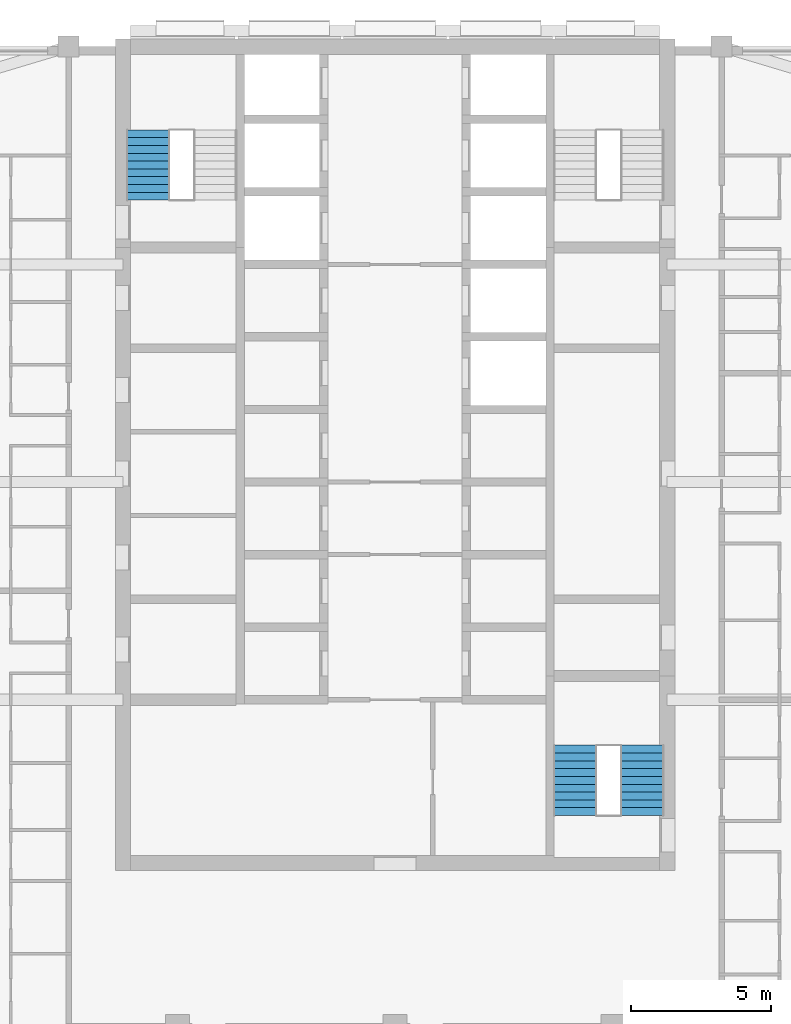
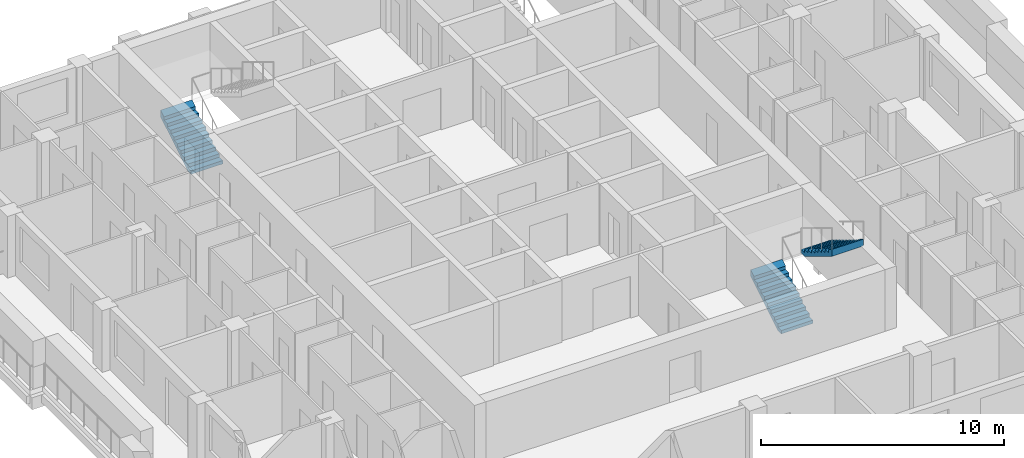
# One storey, part 10 of 13: 3 stair flights, 2 elements without a shape of their own.
"""IFC4 building model written with IfcOpenShell, lengths in metres."""

from ifc_helpers import new_model, si_unit, direction, frame, origin, place, context, subcontext, project, spatial, triangles, material, type_object, element, aggregate, save


model = new_model("IFC4")

# Units and contexts
model_context = context("Model", 3, precision=1e-05, world=origin(), true_north=direction((0.0, 1.0)))
body_context = subcontext(model_context, "Body", "Model", "MODEL_VIEW")
ifc_project = project(units=[si_unit("LENGTHUNIT", "METRE"), si_unit("AREAUNIT", "SQUARE_METRE"), si_unit("VOLUMEUNIT", "CUBIC_METRE"), si_unit("PLANEANGLEUNIT", "RADIAN"), si_unit("MASSUNIT", "GRAM", prefix="KILO")], contexts=[model_context])

# Site, building, storey
site_placement = place(None, origin())
site = spatial("IfcSite", under=ifc_project, at=site_placement, CompositionType="ELEMENT")
building_placement = place(site_placement, origin())
building = spatial("IfcBuilding", under=site, at=building_placement, Name="Ludao Terraces", CompositionType="ELEMENT")
storey_placement = place(building_placement, frame((0.0, 0.0, 189.39990234375)))
storey = spatial("IfcBuildingStorey", under=building, at=storey_placement, Name="L51", CompositionType="ELEMENT", Elevation=189.39990234375)

# Stair, stair flight
ifc_material = material(Name="Concrete C40", Category="concrete")
stair_type = type_object("IfcStairType", Name="INT Stair", PredefinedType="HALF_TURN_STAIR", material=ifc_material)
stair_1_placement = place(storey_placement, origin())
stair_1 = element("IfcStair", 1, at=stair_1_placement, inside=storey, type_object=stair_type, Name="EXIT STAIR 1", PredefinedType="HALF_TURN_STAIR")
stair_flight_type = type_object("IfcStairFlightType", Name="INT Stair flight", PredefinedType="STRAIGHT", material=ifc_material)
stair_flight_1_placement = place(storey_placement, frame((76.14990234375, 79.0, 0.0), z_axis=(0.0, 0.0, 1.0), x_axis=(0.0, 1.0, 0.0)))
stair_flight_1 = element("IfcStairFlight", 2, at=stair_flight_1_placement, type_object=stair_flight_type, Name="ST1 flight 1", NumberOfRisers=10, NumberOfTreads=9, PredefinedType="STRAIGHT", RiserHeight=0.17, TreadLength=0.28, context=body_context, shape_type="Tessellation", body=[
    triangles([(0.0, -0.75, 0.0), (0.0, -0.5, 0.0), (0.0, -0.25, 0.0), (0.0, 0.0, 0.0), (0.0, 0.25, 0.0), (0.0, 0.5, 0.0), (0.0, 0.75, 0.0), (0.0, -0.75, 0.169921875), (0.0, -0.5, 0.169921875), (0.0, -0.25, 0.169921875), (0.0, 0.0, 0.169921875), (0.0, 0.25, 0.169921875), (0.0, 0.5, 0.169921875), (0.0, 0.75, 0.169921875), (0.280029296875, -0.75, 0.169921875), (0.280029296875, -0.5, 0.169921875), (0.280029296875, -0.25, 0.169921875), (0.280029296875, 0.0, 0.169921875), (0.280029296875, 0.25, 0.169921875), (0.280029296875, 0.5, 0.169921875), (0.280029296875, 0.75, 0.169921875), (0.280029296875, -0.75, 0.340087890625), (0.280029296875, -0.5, 0.340087890625), (0.280029296875, -0.25, 0.340087890625), (0.280029296875, 0.0, 0.340087890625), (0.280029296875, 0.25, 0.340087890625), (0.280029296875, 0.5, 0.340087890625), (0.280029296875, 0.75, 0.340087890625), (0.56005859375, -0.75, 0.340087890625), (0.56005859375, -0.5, 0.340087890625), (0.56005859375, -0.25, 0.340087890625), (0.56005859375, 0.0, 0.340087890625), (0.56005859375, 0.25, 0.340087890625), (0.56005859375, 0.5, 0.340087890625), (0.56005859375, 0.75, 0.340087890625), (0.56005859375, -0.75, 0.510009765625), (0.56005859375, -0.5, 0.510009765625), (0.56005859375, -0.25, 0.510009765625), (0.56005859375, 0.0, 0.510009765625), (0.56005859375, 0.25, 0.510009765625), (0.56005859375, 0.5, 0.510009765625), (0.56005859375, 0.75, 0.510009765625), (0.840087890625, -0.75, 0.510009765625), (0.840087890625, -0.5, 0.510009765625), (0.840087890625, -0.25, 0.510009765625), (0.840087890625, 0.0, 0.510009765625), (0.840087890625, 0.25, 0.510009765625), (0.840087890625, 0.5, 0.510009765625), (0.840087890625, 0.75, 0.510009765625), (0.840087890625, -0.75, 0.679931640625), (0.840087890625, -0.5, 0.679931640625), (0.840087890625, -0.25, 0.679931640625), (0.840087890625, 0.0, 0.679931640625), (0.840087890625, 0.25, 0.679931640625), (0.840087890625, 0.5, 0.679931640625), (0.840087890625, 0.75, 0.679931640625), (1.1201171875, -0.75, 0.679931640625), (1.1201171875, -0.5, 0.679931640625), (1.1201171875, -0.25, 0.679931640625), (1.1201171875, 0.0, 0.679931640625), (1.1201171875, 0.25, 0.679931640625), (1.1201171875, 0.5, 0.679931640625), (1.1201171875, 0.75, 0.679931640625), (1.1201171875, -0.75, 0.85009765625), (1.1201171875, -0.5, 0.85009765625), (1.1201171875, -0.25, 0.85009765625), (1.1201171875, 0.0, 0.85009765625), (1.1201171875, 0.25, 0.85009765625), (1.1201171875, 0.5, 0.85009765625), (1.1201171875, 0.75, 0.85009765625), (1.39990234375, -0.75, 0.85009765625), (1.39990234375, -0.5, 0.85009765625), (1.39990234375, -0.25, 0.85009765625), (1.39990234375, 0.0, 0.85009765625), (1.39990234375, 0.25, 0.85009765625), (1.39990234375, 0.5, 0.85009765625), (1.39990234375, 0.75, 0.85009765625), (1.39990234375, -0.75, 1.02001953125), (1.39990234375, -0.5, 1.02001953125), (1.39990234375, -0.25, 1.02001953125), (1.39990234375, 0.0, 1.02001953125), (1.39990234375, 0.25, 1.02001953125), (1.39990234375, 0.5, 1.02001953125), (1.39990234375, 0.75, 1.02001953125), (1.679931640625, -0.75, 1.02001953125), (1.679931640625, -0.5, 1.02001953125), (1.679931640625, -0.25, 1.02001953125), (1.679931640625, 0.0, 1.02001953125), (1.679931640625, 0.25, 1.02001953125), (1.679931640625, 0.5, 1.02001953125), (1.679931640625, 0.75, 1.02001953125), (1.679931640625, -0.75, 1.18994140625), (1.679931640625, -0.5, 1.18994140625), (1.679931640625, -0.25, 1.18994140625), (1.679931640625, 0.0, 1.18994140625), (1.679931640625, 0.25, 1.18994140625), (1.679931640625, 0.5, 1.18994140625), (1.679931640625, 0.75, 1.18994140625), (1.9599609375, -0.75, 1.18994140625), (1.9599609375, -0.5, 1.18994140625), (1.9599609375, -0.25, 1.18994140625), (1.9599609375, 0.0, 1.18994140625), (1.9599609375, 0.25, 1.18994140625), (1.9599609375, 0.5, 1.18994140625), (1.9599609375, 0.75, 1.18994140625), (1.9599609375, -0.75, 1.360107421875), (1.9599609375, -0.5, 1.360107421875), (1.9599609375, -0.25, 1.360107421875), (1.9599609375, 0.0, 1.360107421875), (1.9599609375, 0.25, 1.360107421875), (1.9599609375, 0.5, 1.360107421875), (1.9599609375, 0.75, 1.360107421875), (2.239990234375, -0.75, 1.360107421875), (2.239990234375, -0.5, 1.360107421875), (2.239990234375, -0.25, 1.360107421875), (2.239990234375, 0.0, 1.360107421875), (2.239990234375, 0.25, 1.360107421875), (2.239990234375, 0.5, 1.360107421875), (2.239990234375, 0.75, 1.360107421875), (2.239990234375, -0.75, 1.530029296875), (2.239990234375, -0.5, 1.530029296875), (2.239990234375, -0.25, 1.530029296875), (2.239990234375, 0.0, 1.530029296875), (2.239990234375, 0.25, 1.530029296875), (2.239990234375, 0.5, 1.530029296875), (2.239990234375, 0.75, 1.530029296875), (2.52001953125, -0.75, 1.699951171875), (2.52001953125, -0.5, 1.699951171875), (2.52001953125, -0.25, 1.699951171875), (2.52001953125, 0.0, 1.699951171875), (2.52001953125, 0.25, 1.699951171875), (2.52001953125, 0.5, 1.699951171875), (2.52001953125, 0.75, 1.699951171875), (2.52001953125, -0.75, 1.354736328125), (2.52001953125, -0.5, 1.354736328125), (2.52001953125, -0.25, 1.354736328125), (2.52001953125, 0.0, 1.354736328125), (2.52001953125, 0.25, 1.354736328125), (2.52001953125, 0.5, 1.354736328125), (2.52001953125, 0.75, 1.354736328125), (0.288818359375, -0.75, 0.0), (0.288818359375, -0.5, 0.0), (0.288818359375, -0.25, 0.0), (0.288818359375, 0.0, 0.0), (0.288818359375, 0.25, 0.0), (0.288818359375, 0.5, 0.0), (0.288818359375, 0.75, 0.0)], [[1, 141, 134], [7, 140, 147], [134, 127, 120], [140, 126, 133], [134, 120, 113], [140, 119, 126], [134, 113, 106], [140, 112, 119], [134, 106, 99], [140, 105, 112], [99, 92, 85], [105, 91, 98], [134, 99, 85], [140, 91, 105], [85, 78, 71], [91, 77, 84], [134, 85, 71], [140, 77, 91], [71, 64, 57], [77, 63, 70], [134, 71, 57], [140, 63, 77], [57, 50, 43], [63, 49, 56], [134, 57, 43], [140, 49, 63], [43, 36, 29], [49, 35, 42], [134, 43, 29], [140, 35, 49], [29, 22, 15], [35, 21, 28], [134, 29, 15], [140, 21, 35], [1, 134, 15], [7, 21, 140], [15, 8, 1], [21, 7, 14], [1, 9, 2], [1, 8, 9], [2, 10, 3], [2, 9, 10], [3, 11, 4], [3, 10, 11], [4, 12, 5], [4, 11, 12], [5, 13, 6], [5, 12, 13], [6, 14, 7], [6, 13, 14], [8, 16, 9], [8, 15, 16], [9, 17, 10], [9, 16, 17], [10, 18, 11], [10, 17, 18], [11, 19, 12], [11, 18, 19], [12, 20, 13], [12, 19, 20], [13, 21, 14], [13, 20, 21], [15, 23, 16], [15, 22, 23], [16, 24, 17], [16, 23, 24], [17, 25, 18], [17, 24, 25], [18, 26, 19], [18, 25, 26], [19, 27, 20], [19, 26, 27], [20, 28, 21], [20, 27, 28], [22, 30, 23], [22, 29, 30], [23, 31, 24], [23, 30, 31], [24, 32, 25], [24, 31, 32], [25, 33, 26], [25, 32, 33], [26, 34, 27], [26, 33, 34], [27, 35, 28], [27, 34, 35], [29, 37, 30], [29, 36, 37], [30, 38, 31], [30, 37, 38], [31, 39, 32], [31, 38, 39], [32, 40, 33], [32, 39, 40], [33, 41, 34], [33, 40, 41], [34, 42, 35], [34, 41, 42], [36, 44, 37], [36, 43, 44], [37, 45, 38], [37, 44, 45], [38, 46, 39], [38, 45, 46], [39, 47, 40], [39, 46, 47], [40, 48, 41], [40, 47, 48], [41, 49, 42], [41, 48, 49], [43, 51, 44], [43, 50, 51], [44, 52, 45], [44, 51, 52], [45, 53, 46], [45, 52, 53], [46, 54, 47], [46, 53, 54], [47, 55, 48], [47, 54, 55], [48, 56, 49], [48, 55, 56], [50, 58, 51], [50, 57, 58], [51, 59, 52], [51, 58, 59], [52, 60, 53], [52, 59, 60], [53, 61, 54], [53, 60, 61], [54, 62, 55], [54, 61, 62], [55, 63, 56], [55, 62, 63], [57, 65, 58], [57, 64, 65], [58, 66, 59], [58, 65, 66], [59, 67, 60], [59, 66, 67], [60, 68, 61], [60, 67, 68], [61, 69, 62], [61, 68, 69], [62, 70, 63], [62, 69, 70], [64, 72, 65], [64, 71, 72], [65, 73, 66], [65, 72, 73], [66, 74, 67], [66, 73, 74], [67, 75, 68], [67, 74, 75], [68, 76, 69], [68, 75, 76], [69, 77, 70], [69, 76, 77], [71, 79, 72], [71, 78, 79], [72, 80, 73], [72, 79, 80], [73, 81, 74], [73, 80, 81], [74, 82, 75], [74, 81, 82], [75, 83, 76], [75, 82, 83], [76, 84, 77], [76, 83, 84], [78, 86, 79], [78, 85, 86], [79, 87, 80], [79, 86, 87], [80, 88, 81], [80, 87, 88], [81, 89, 82], [81, 88, 89], [82, 90, 83], [82, 89, 90], [83, 91, 84], [83, 90, 91], [85, 93, 86], [85, 92, 93], [86, 94, 87], [86, 93, 94], [87, 95, 88], [87, 94, 95], [88, 96, 89], [88, 95, 96], [89, 97, 90], [89, 96, 97], [90, 98, 91], [90, 97, 98], [92, 100, 93], [92, 99, 100], [93, 101, 94], [93, 100, 101], [94, 102, 95], [94, 101, 102], [95, 103, 96], [95, 102, 103], [96, 104, 97], [96, 103, 104], [97, 105, 98], [97, 104, 105], [99, 107, 100], [99, 106, 107], [100, 108, 101], [100, 107, 108], [101, 109, 102], [101, 108, 109], [102, 110, 103], [102, 109, 110], [103, 111, 104], [103, 110, 111], [104, 112, 105], [104, 111, 112], [106, 114, 107], [106, 113, 114], [107, 115, 108], [107, 114, 115], [108, 116, 109], [108, 115, 116], [109, 117, 110], [109, 116, 117], [110, 118, 111], [110, 117, 118], [111, 119, 112], [111, 118, 119], [113, 121, 114], [113, 120, 121], [114, 122, 115], [114, 121, 122], [115, 123, 116], [115, 122, 123], [116, 124, 117], [116, 123, 124], [117, 125, 118], [117, 124, 125], [118, 126, 119], [118, 125, 126], [120, 128, 121], [120, 127, 128], [121, 129, 122], [121, 128, 129], [122, 130, 123], [122, 129, 130], [123, 131, 124], [123, 130, 131], [124, 132, 125], [124, 131, 132], [125, 133, 126], [125, 132, 133], [127, 135, 128], [127, 134, 135], [128, 136, 129], [128, 135, 136], [129, 137, 130], [129, 136, 137], [130, 138, 131], [130, 137, 138], [131, 139, 132], [131, 138, 139], [132, 140, 133], [132, 139, 140], [134, 142, 135], [134, 141, 142], [135, 143, 136], [135, 142, 143], [136, 144, 137], [136, 143, 144], [137, 145, 138], [137, 144, 145], [138, 146, 139], [138, 145, 146], [139, 147, 140], [139, 146, 147], [141, 2, 142], [141, 1, 2], [142, 3, 143], [142, 2, 3], [143, 4, 144], [143, 3, 4], [144, 5, 145], [144, 4, 5], [145, 6, 146], [145, 5, 6], [146, 7, 147], [146, 6, 7]], closed=True),
])
aggregate(stair_1, [stair_flight_1])

# Stair, stair flights
stair_2_placement = place(storey_placement, origin())
stair_2 = element("IfcStair", 3, at=stair_2_placement, inside=storey, type_object=stair_type, Name="EXIT STAIR 3", PredefinedType="HALF_TURN_STAIR")
stair_flight_2_placement = place(storey_placement, frame((91.449951171875, 56.949951171875, 0.0), z_axis=(0.0, 0.0, 1.0), x_axis=(0.0, 1.0, 0.0)))
stair_flight_2 = element("IfcStairFlight", 4, at=stair_flight_2_placement, type_object=stair_flight_type, Name="ST3 flight 1", NumberOfRisers=10, NumberOfTreads=9, PredefinedType="STRAIGHT", RiserHeight=0.17, TreadLength=0.28, context=body_context, shape_type="Tessellation", body=[
    triangles([(0.0, -0.75, 0.0), (0.0, -0.5, 0.0), (0.0, -0.25, 0.0), (0.0, 0.0, 0.0), (0.0, 0.25, 0.0), (0.0, 0.5, 0.0), (0.0, 0.75, 0.0), (0.0, -0.75, 0.169921875), (0.0, -0.5, 0.169921875), (0.0, -0.25, 0.169921875), (0.0, 0.0, 0.169921875), (0.0, 0.25, 0.169921875), (0.0, 0.5, 0.169921875), (0.0, 0.75, 0.169921875), (0.280029296875, -0.75, 0.169921875), (0.280029296875, -0.5, 0.169921875), (0.280029296875, -0.25, 0.169921875), (0.280029296875, 0.0, 0.169921875), (0.280029296875, 0.25, 0.169921875), (0.280029296875, 0.5, 0.169921875), (0.280029296875, 0.75, 0.169921875), (0.280029296875, -0.75, 0.340087890625), (0.280029296875, -0.5, 0.340087890625), (0.280029296875, -0.25, 0.340087890625), (0.280029296875, 0.0, 0.340087890625), (0.280029296875, 0.25, 0.340087890625), (0.280029296875, 0.5, 0.340087890625), (0.280029296875, 0.75, 0.340087890625), (0.56005859375, -0.75, 0.340087890625), (0.56005859375, -0.5, 0.340087890625), (0.56005859375, -0.25, 0.340087890625), (0.56005859375, 0.0, 0.340087890625), (0.56005859375, 0.25, 0.340087890625), (0.56005859375, 0.5, 0.340087890625), (0.56005859375, 0.75, 0.340087890625), (0.56005859375, -0.75, 0.510009765625), (0.56005859375, -0.5, 0.510009765625), (0.56005859375, -0.25, 0.510009765625), (0.56005859375, 0.0, 0.510009765625), (0.56005859375, 0.25, 0.510009765625), (0.56005859375, 0.5, 0.510009765625), (0.56005859375, 0.75, 0.510009765625), (0.840087890625, -0.75, 0.510009765625), (0.840087890625, -0.5, 0.510009765625), (0.840087890625, -0.25, 0.510009765625), (0.840087890625, 0.0, 0.510009765625), (0.840087890625, 0.25, 0.510009765625), (0.840087890625, 0.5, 0.510009765625), (0.840087890625, 0.75, 0.510009765625), (0.840087890625, -0.75, 0.679931640625), (0.840087890625, -0.5, 0.679931640625), (0.840087890625, -0.25, 0.679931640625), (0.840087890625, 0.0, 0.679931640625), (0.840087890625, 0.25, 0.679931640625), (0.840087890625, 0.5, 0.679931640625), (0.840087890625, 0.75, 0.679931640625), (1.1201171875, -0.75, 0.679931640625), (1.1201171875, -0.5, 0.679931640625), (1.1201171875, -0.25, 0.679931640625), (1.1201171875, 0.0, 0.679931640625), (1.1201171875, 0.25, 0.679931640625), (1.1201171875, 0.5, 0.679931640625), (1.1201171875, 0.75, 0.679931640625), (1.1201171875, -0.75, 0.85009765625), (1.1201171875, -0.5, 0.85009765625), (1.1201171875, -0.25, 0.85009765625), (1.1201171875, 0.0, 0.85009765625), (1.1201171875, 0.25, 0.85009765625), (1.1201171875, 0.5, 0.85009765625), (1.1201171875, 0.75, 0.85009765625), (1.39990234375, -0.75, 0.85009765625), (1.39990234375, -0.5, 0.85009765625), (1.39990234375, -0.25, 0.85009765625), (1.39990234375, 0.0, 0.85009765625), (1.39990234375, 0.25, 0.85009765625), (1.39990234375, 0.5, 0.85009765625), (1.39990234375, 0.75, 0.85009765625), (1.39990234375, -0.75, 1.02001953125), (1.39990234375, -0.5, 1.02001953125), (1.39990234375, -0.25, 1.02001953125), (1.39990234375, 0.0, 1.02001953125), (1.39990234375, 0.25, 1.02001953125), (1.39990234375, 0.5, 1.02001953125), (1.39990234375, 0.75, 1.02001953125), (1.679931640625, -0.75, 1.02001953125), (1.679931640625, -0.5, 1.02001953125), (1.679931640625, -0.25, 1.02001953125), (1.679931640625, 0.0, 1.02001953125), (1.679931640625, 0.25, 1.02001953125), (1.679931640625, 0.5, 1.02001953125), (1.679931640625, 0.75, 1.02001953125), (1.679931640625, -0.75, 1.18994140625), (1.679931640625, -0.5, 1.18994140625), (1.679931640625, -0.25, 1.18994140625), (1.679931640625, 0.0, 1.18994140625), (1.679931640625, 0.25, 1.18994140625), (1.679931640625, 0.5, 1.18994140625), (1.679931640625, 0.75, 1.18994140625), (1.9599609375, -0.75, 1.18994140625), (1.9599609375, -0.5, 1.18994140625), (1.9599609375, -0.25, 1.18994140625), (1.9599609375, 0.0, 1.18994140625), (1.9599609375, 0.25, 1.18994140625), (1.9599609375, 0.5, 1.18994140625), (1.9599609375, 0.75, 1.18994140625), (1.9599609375, -0.75, 1.360107421875), (1.9599609375, -0.5, 1.360107421875), (1.9599609375, -0.25, 1.360107421875), (1.9599609375, 0.0, 1.360107421875), (1.9599609375, 0.25, 1.360107421875), (1.9599609375, 0.5, 1.360107421875), (1.9599609375, 0.75, 1.360107421875), (2.239990234375, -0.75, 1.360107421875), (2.239990234375, -0.5, 1.360107421875), (2.239990234375, -0.25, 1.360107421875), (2.239990234375, 0.0, 1.360107421875), (2.239990234375, 0.25, 1.360107421875), (2.239990234375, 0.5, 1.360107421875), (2.239990234375, 0.75, 1.360107421875), (2.239990234375, -0.75, 1.530029296875), (2.239990234375, -0.5, 1.530029296875), (2.239990234375, -0.25, 1.530029296875), (2.239990234375, 0.0, 1.530029296875), (2.239990234375, 0.25, 1.530029296875), (2.239990234375, 0.5, 1.530029296875), (2.239990234375, 0.75, 1.530029296875), (2.52001953125, -0.75, 1.699951171875), (2.52001953125, -0.5, 1.699951171875), (2.52001953125, -0.25, 1.699951171875), (2.52001953125, 0.0, 1.699951171875), (2.52001953125, 0.25, 1.699951171875), (2.52001953125, 0.5, 1.699951171875), (2.52001953125, 0.75, 1.699951171875), (2.52001953125, -0.75, 1.354736328125), (2.52001953125, -0.5, 1.354736328125), (2.52001953125, -0.25, 1.354736328125), (2.52001953125, 0.0, 1.354736328125), (2.52001953125, 0.25, 1.354736328125), (2.52001953125, 0.5, 1.354736328125), (2.52001953125, 0.75, 1.354736328125), (0.288818359375, -0.75, 0.0), (0.288818359375, -0.5, 0.0), (0.288818359375, -0.25, 0.0), (0.288818359375, 0.0, 0.0), (0.288818359375, 0.25, 0.0), (0.288818359375, 0.5, 0.0), (0.288818359375, 0.75, 0.0)], [[1, 141, 134], [7, 140, 147], [134, 127, 120], [140, 126, 133], [134, 120, 113], [140, 119, 126], [134, 113, 106], [140, 112, 119], [134, 106, 99], [140, 105, 112], [99, 92, 85], [105, 91, 98], [134, 99, 85], [140, 91, 105], [85, 78, 71], [91, 77, 84], [134, 85, 71], [140, 77, 91], [71, 64, 57], [77, 63, 70], [134, 71, 57], [140, 63, 77], [57, 50, 43], [63, 49, 56], [134, 57, 43], [140, 49, 63], [43, 36, 29], [49, 35, 42], [134, 43, 29], [140, 35, 49], [29, 22, 15], [35, 21, 28], [134, 29, 15], [140, 21, 35], [1, 134, 15], [7, 21, 140], [15, 8, 1], [21, 7, 14], [1, 9, 2], [1, 8, 9], [2, 10, 3], [2, 9, 10], [3, 11, 4], [3, 10, 11], [4, 12, 5], [4, 11, 12], [5, 13, 6], [5, 12, 13], [6, 14, 7], [6, 13, 14], [8, 16, 9], [8, 15, 16], [9, 17, 10], [9, 16, 17], [10, 18, 11], [10, 17, 18], [11, 19, 12], [11, 18, 19], [12, 20, 13], [12, 19, 20], [13, 21, 14], [13, 20, 21], [15, 23, 16], [15, 22, 23], [16, 24, 17], [16, 23, 24], [17, 25, 18], [17, 24, 25], [18, 26, 19], [18, 25, 26], [19, 27, 20], [19, 26, 27], [20, 28, 21], [20, 27, 28], [22, 30, 23], [22, 29, 30], [23, 31, 24], [23, 30, 31], [24, 32, 25], [24, 31, 32], [25, 33, 26], [25, 32, 33], [26, 34, 27], [26, 33, 34], [27, 35, 28], [27, 34, 35], [29, 37, 30], [29, 36, 37], [30, 38, 31], [30, 37, 38], [31, 39, 32], [31, 38, 39], [32, 40, 33], [32, 39, 40], [33, 41, 34], [33, 40, 41], [34, 42, 35], [34, 41, 42], [36, 44, 37], [36, 43, 44], [37, 45, 38], [37, 44, 45], [38, 46, 39], [38, 45, 46], [39, 47, 40], [39, 46, 47], [40, 48, 41], [40, 47, 48], [41, 49, 42], [41, 48, 49], [43, 51, 44], [43, 50, 51], [44, 52, 45], [44, 51, 52], [45, 53, 46], [45, 52, 53], [46, 54, 47], [46, 53, 54], [47, 55, 48], [47, 54, 55], [48, 56, 49], [48, 55, 56], [50, 58, 51], [50, 57, 58], [51, 59, 52], [51, 58, 59], [52, 60, 53], [52, 59, 60], [53, 61, 54], [53, 60, 61], [54, 62, 55], [54, 61, 62], [55, 63, 56], [55, 62, 63], [57, 65, 58], [57, 64, 65], [58, 66, 59], [58, 65, 66], [59, 67, 60], [59, 66, 67], [60, 68, 61], [60, 67, 68], [61, 69, 62], [61, 68, 69], [62, 70, 63], [62, 69, 70], [64, 72, 65], [64, 71, 72], [65, 73, 66], [65, 72, 73], [66, 74, 67], [66, 73, 74], [67, 75, 68], [67, 74, 75], [68, 76, 69], [68, 75, 76], [69, 77, 70], [69, 76, 77], [71, 79, 72], [71, 78, 79], [72, 80, 73], [72, 79, 80], [73, 81, 74], [73, 80, 81], [74, 82, 75], [74, 81, 82], [75, 83, 76], [75, 82, 83], [76, 84, 77], [76, 83, 84], [78, 86, 79], [78, 85, 86], [79, 87, 80], [79, 86, 87], [80, 88, 81], [80, 87, 88], [81, 89, 82], [81, 88, 89], [82, 90, 83], [82, 89, 90], [83, 91, 84], [83, 90, 91], [85, 93, 86], [85, 92, 93], [86, 94, 87], [86, 93, 94], [87, 95, 88], [87, 94, 95], [88, 96, 89], [88, 95, 96], [89, 97, 90], [89, 96, 97], [90, 98, 91], [90, 97, 98], [92, 100, 93], [92, 99, 100], [93, 101, 94], [93, 100, 101], [94, 102, 95], [94, 101, 102], [95, 103, 96], [95, 102, 103], [96, 104, 97], [96, 103, 104], [97, 105, 98], [97, 104, 105], [99, 107, 100], [99, 106, 107], [100, 108, 101], [100, 107, 108], [101, 109, 102], [101, 108, 109], [102, 110, 103], [102, 109, 110], [103, 111, 104], [103, 110, 111], [104, 112, 105], [104, 111, 112], [106, 114, 107], [106, 113, 114], [107, 115, 108], [107, 114, 115], [108, 116, 109], [108, 115, 116], [109, 117, 110], [109, 116, 117], [110, 118, 111], [110, 117, 118], [111, 119, 112], [111, 118, 119], [113, 121, 114], [113, 120, 121], [114, 122, 115], [114, 121, 122], [115, 123, 116], [115, 122, 123], [116, 124, 117], [116, 123, 124], [117, 125, 118], [117, 124, 125], [118, 126, 119], [118, 125, 126], [120, 128, 121], [120, 127, 128], [121, 129, 122], [121, 128, 129], [122, 130, 123], [122, 129, 130], [123, 131, 124], [123, 130, 131], [124, 132, 125], [124, 131, 132], [125, 133, 126], [125, 132, 133], [127, 135, 128], [127, 134, 135], [128, 136, 129], [128, 135, 136], [129, 137, 130], [129, 136, 137], [130, 138, 131], [130, 137, 138], [131, 139, 132], [131, 138, 139], [132, 140, 133], [132, 139, 140], [134, 142, 135], [134, 141, 142], [135, 143, 136], [135, 142, 143], [136, 144, 137], [136, 143, 144], [137, 145, 138], [137, 144, 145], [138, 146, 139], [138, 145, 146], [139, 147, 140], [139, 146, 147], [141, 2, 142], [141, 1, 2], [142, 3, 143], [142, 2, 3], [143, 4, 144], [143, 3, 4], [144, 5, 145], [144, 4, 5], [145, 6, 146], [145, 5, 6], [146, 7, 147], [146, 6, 7]], closed=True),
])
stair_flight_3_placement = place(storey_placement, frame((93.85009765625, 59.469970703125, 1.7001953125), z_axis=(0.0, 0.0, 1.0), x_axis=(0.0, -1.0, 0.0)))
stair_flight_3 = element("IfcStairFlight", 5, at=stair_flight_3_placement, type_object=stair_flight_type, Name="ST3 flight 2", NumberOfRisers=10, NumberOfTreads=9, PredefinedType="STRAIGHT", RiserHeight=0.17, TreadLength=0.28, context=body_context, shape_type="Tessellation", body=[
    triangles([(0.0, -0.75, 0.0), (0.0, -0.5, 0.0), (0.0, -0.25, 0.0), (0.0, 0.0, 0.0), (0.0, 0.25, 0.0), (0.0, 0.5, 0.0), (0.0, 0.75, 0.0), (0.0, -0.75, 0.169921875), (0.0, -0.5, 0.169921875), (0.0, -0.25, 0.169921875), (0.0, 0.0, 0.169921875), (0.0, 0.25, 0.169921875), (0.0, 0.5, 0.169921875), (0.0, 0.75, 0.169921875), (0.280029296875, -0.75, 0.169921875), (0.280029296875, -0.5, 0.169921875), (0.280029296875, -0.25, 0.169921875), (0.280029296875, 0.0, 0.169921875), (0.280029296875, 0.25, 0.169921875), (0.280029296875, 0.5, 0.169921875), (0.280029296875, 0.75, 0.169921875), (0.280029296875, -0.75, 0.340087890625), (0.280029296875, -0.5, 0.340087890625), (0.280029296875, -0.25, 0.340087890625), (0.280029296875, 0.0, 0.340087890625), (0.280029296875, 0.25, 0.340087890625), (0.280029296875, 0.5, 0.340087890625), (0.280029296875, 0.75, 0.340087890625), (0.56005859375, -0.75, 0.340087890625), (0.56005859375, -0.5, 0.340087890625), (0.56005859375, -0.25, 0.340087890625), (0.56005859375, 0.0, 0.340087890625), (0.56005859375, 0.25, 0.340087890625), (0.56005859375, 0.5, 0.340087890625), (0.56005859375, 0.75, 0.340087890625), (0.56005859375, -0.75, 0.510009765625), (0.56005859375, -0.5, 0.510009765625), (0.56005859375, -0.25, 0.510009765625), (0.56005859375, 0.0, 0.510009765625), (0.56005859375, 0.25, 0.510009765625), (0.56005859375, 0.5, 0.510009765625), (0.56005859375, 0.75, 0.510009765625), (0.840087890625, -0.75, 0.510009765625), (0.840087890625, -0.5, 0.510009765625), (0.840087890625, -0.25, 0.510009765625), (0.840087890625, 0.0, 0.510009765625), (0.840087890625, 0.25, 0.510009765625), (0.840087890625, 0.5, 0.510009765625), (0.840087890625, 0.75, 0.510009765625), (0.840087890625, -0.75, 0.679931640625), (0.840087890625, -0.5, 0.679931640625), (0.840087890625, -0.25, 0.679931640625), (0.840087890625, 0.0, 0.679931640625), (0.840087890625, 0.25, 0.679931640625), (0.840087890625, 0.5, 0.679931640625), (0.840087890625, 0.75, 0.679931640625), (1.1201171875, -0.75, 0.679931640625), (1.1201171875, -0.5, 0.679931640625), (1.1201171875, -0.25, 0.679931640625), (1.1201171875, 0.0, 0.679931640625), (1.1201171875, 0.25, 0.679931640625), (1.1201171875, 0.5, 0.679931640625), (1.1201171875, 0.75, 0.679931640625), (1.1201171875, -0.75, 0.85009765625), (1.1201171875, -0.5, 0.85009765625), (1.1201171875, -0.25, 0.85009765625), (1.1201171875, 0.0, 0.85009765625), (1.1201171875, 0.25, 0.85009765625), (1.1201171875, 0.5, 0.85009765625), (1.1201171875, 0.75, 0.85009765625), (1.39990234375, -0.75, 0.85009765625), (1.39990234375, -0.5, 0.85009765625), (1.39990234375, -0.25, 0.85009765625), (1.39990234375, 0.0, 0.85009765625), (1.39990234375, 0.25, 0.85009765625), (1.39990234375, 0.5, 0.85009765625), (1.39990234375, 0.75, 0.85009765625), (1.39990234375, -0.75, 1.02001953125), (1.39990234375, -0.5, 1.02001953125), (1.39990234375, -0.25, 1.02001953125), (1.39990234375, 0.0, 1.02001953125), (1.39990234375, 0.25, 1.02001953125), (1.39990234375, 0.5, 1.02001953125), (1.39990234375, 0.75, 1.02001953125), (1.679931640625, -0.75, 1.02001953125), (1.679931640625, -0.5, 1.02001953125), (1.679931640625, -0.25, 1.02001953125), (1.679931640625, 0.0, 1.02001953125), (1.679931640625, 0.25, 1.02001953125), (1.679931640625, 0.5, 1.02001953125), (1.679931640625, 0.75, 1.02001953125), (1.679931640625, -0.75, 1.18994140625), (1.679931640625, -0.5, 1.18994140625), (1.679931640625, -0.25, 1.18994140625), (1.679931640625, 0.0, 1.18994140625), (1.679931640625, 0.25, 1.18994140625), (1.679931640625, 0.5, 1.18994140625), (1.679931640625, 0.75, 1.18994140625), (1.9599609375, -0.75, 1.18994140625), (1.9599609375, -0.5, 1.18994140625), (1.9599609375, -0.25, 1.18994140625), (1.9599609375, 0.0, 1.18994140625), (1.9599609375, 0.25, 1.18994140625), (1.9599609375, 0.5, 1.18994140625), (1.9599609375, 0.75, 1.18994140625), (1.9599609375, -0.75, 1.360107421875), (1.9599609375, -0.5, 1.360107421875), (1.9599609375, -0.25, 1.360107421875), (1.9599609375, 0.0, 1.360107421875), (1.9599609375, 0.25, 1.360107421875), (1.9599609375, 0.5, 1.360107421875), (1.9599609375, 0.75, 1.360107421875), (2.239990234375, -0.75, 1.360107421875), (2.239990234375, -0.5, 1.360107421875), (2.239990234375, -0.25, 1.360107421875), (2.239990234375, 0.0, 1.360107421875), (2.239990234375, 0.25, 1.360107421875), (2.239990234375, 0.5, 1.360107421875), (2.239990234375, 0.75, 1.360107421875), (2.239990234375, -0.75, 1.530029296875), (2.239990234375, -0.5, 1.530029296875), (2.239990234375, -0.25, 1.530029296875), (2.239990234375, 0.0, 1.530029296875), (2.239990234375, 0.25, 1.530029296875), (2.239990234375, 0.5, 1.530029296875), (2.239990234375, 0.75, 1.530029296875), (2.52001953125, -0.75, 1.699951171875), (2.52001953125, -0.5, 1.699951171875), (2.52001953125, -0.25, 1.699951171875), (2.52001953125, 0.0, 1.699951171875), (2.52001953125, 0.25, 1.699951171875), (2.52001953125, 0.5, 1.699951171875), (2.52001953125, 0.75, 1.699951171875), (2.52001953125, -0.75, 1.354736328125), (2.52001953125, -0.5, 1.354736328125), (2.52001953125, -0.25, 1.354736328125), (2.52001953125, 0.0, 1.354736328125), (2.52001953125, 0.25, 1.354736328125), (2.52001953125, 0.5, 1.354736328125), (2.52001953125, 0.75, 1.354736328125), (0.288818359375, -0.75, 0.0), (0.288818359375, -0.5, 0.0), (0.288818359375, -0.25, 0.0), (0.288818359375, 0.0, 0.0), (0.288818359375, 0.25, 0.0), (0.288818359375, 0.5, 0.0), (0.288818359375, 0.75, 0.0)], [[1, 141, 134], [7, 140, 147], [134, 127, 120], [140, 126, 133], [134, 120, 113], [140, 119, 126], [134, 113, 106], [140, 112, 119], [134, 106, 99], [140, 105, 112], [99, 92, 85], [105, 91, 98], [134, 99, 85], [140, 91, 105], [85, 78, 71], [91, 77, 84], [134, 85, 71], [140, 77, 91], [71, 64, 57], [77, 63, 70], [134, 71, 57], [140, 63, 77], [57, 50, 43], [63, 49, 56], [134, 57, 43], [140, 49, 63], [43, 36, 29], [49, 35, 42], [134, 43, 29], [140, 35, 49], [29, 22, 15], [35, 21, 28], [134, 29, 15], [140, 21, 35], [1, 134, 15], [7, 21, 140], [15, 8, 1], [21, 7, 14], [1, 9, 2], [1, 8, 9], [2, 10, 3], [2, 9, 10], [3, 11, 4], [3, 10, 11], [4, 12, 5], [4, 11, 12], [5, 13, 6], [5, 12, 13], [6, 14, 7], [6, 13, 14], [8, 16, 9], [8, 15, 16], [9, 17, 10], [9, 16, 17], [10, 18, 11], [10, 17, 18], [11, 19, 12], [11, 18, 19], [12, 20, 13], [12, 19, 20], [13, 21, 14], [13, 20, 21], [15, 23, 16], [15, 22, 23], [16, 24, 17], [16, 23, 24], [17, 25, 18], [17, 24, 25], [18, 26, 19], [18, 25, 26], [19, 27, 20], [19, 26, 27], [20, 28, 21], [20, 27, 28], [22, 30, 23], [22, 29, 30], [23, 31, 24], [23, 30, 31], [24, 32, 25], [24, 31, 32], [25, 33, 26], [25, 32, 33], [26, 34, 27], [26, 33, 34], [27, 35, 28], [27, 34, 35], [29, 37, 30], [29, 36, 37], [30, 38, 31], [30, 37, 38], [31, 39, 32], [31, 38, 39], [32, 40, 33], [32, 39, 40], [33, 41, 34], [33, 40, 41], [34, 42, 35], [34, 41, 42], [36, 44, 37], [36, 43, 44], [37, 45, 38], [37, 44, 45], [38, 46, 39], [38, 45, 46], [39, 47, 40], [39, 46, 47], [40, 48, 41], [40, 47, 48], [41, 49, 42], [41, 48, 49], [43, 51, 44], [43, 50, 51], [44, 52, 45], [44, 51, 52], [45, 53, 46], [45, 52, 53], [46, 54, 47], [46, 53, 54], [47, 55, 48], [47, 54, 55], [48, 56, 49], [48, 55, 56], [50, 58, 51], [50, 57, 58], [51, 59, 52], [51, 58, 59], [52, 60, 53], [52, 59, 60], [53, 61, 54], [53, 60, 61], [54, 62, 55], [54, 61, 62], [55, 63, 56], [55, 62, 63], [57, 65, 58], [57, 64, 65], [58, 66, 59], [58, 65, 66], [59, 67, 60], [59, 66, 67], [60, 68, 61], [60, 67, 68], [61, 69, 62], [61, 68, 69], [62, 70, 63], [62, 69, 70], [64, 72, 65], [64, 71, 72], [65, 73, 66], [65, 72, 73], [66, 74, 67], [66, 73, 74], [67, 75, 68], [67, 74, 75], [68, 76, 69], [68, 75, 76], [69, 77, 70], [69, 76, 77], [71, 79, 72], [71, 78, 79], [72, 80, 73], [72, 79, 80], [73, 81, 74], [73, 80, 81], [74, 82, 75], [74, 81, 82], [75, 83, 76], [75, 82, 83], [76, 84, 77], [76, 83, 84], [78, 86, 79], [78, 85, 86], [79, 87, 80], [79, 86, 87], [80, 88, 81], [80, 87, 88], [81, 89, 82], [81, 88, 89], [82, 90, 83], [82, 89, 90], [83, 91, 84], [83, 90, 91], [85, 93, 86], [85, 92, 93], [86, 94, 87], [86, 93, 94], [87, 95, 88], [87, 94, 95], [88, 96, 89], [88, 95, 96], [89, 97, 90], [89, 96, 97], [90, 98, 91], [90, 97, 98], [92, 100, 93], [92, 99, 100], [93, 101, 94], [93, 100, 101], [94, 102, 95], [94, 101, 102], [95, 103, 96], [95, 102, 103], [96, 104, 97], [96, 103, 104], [97, 105, 98], [97, 104, 105], [99, 107, 100], [99, 106, 107], [100, 108, 101], [100, 107, 108], [101, 109, 102], [101, 108, 109], [102, 110, 103], [102, 109, 110], [103, 111, 104], [103, 110, 111], [104, 112, 105], [104, 111, 112], [106, 114, 107], [106, 113, 114], [107, 115, 108], [107, 114, 115], [108, 116, 109], [108, 115, 116], [109, 117, 110], [109, 116, 117], [110, 118, 111], [110, 117, 118], [111, 119, 112], [111, 118, 119], [113, 121, 114], [113, 120, 121], [114, 122, 115], [114, 121, 122], [115, 123, 116], [115, 122, 123], [116, 124, 117], [116, 123, 124], [117, 125, 118], [117, 124, 125], [118, 126, 119], [118, 125, 126], [120, 128, 121], [120, 127, 128], [121, 129, 122], [121, 128, 129], [122, 130, 123], [122, 129, 130], [123, 131, 124], [123, 130, 131], [124, 132, 125], [124, 131, 132], [125, 133, 126], [125, 132, 133], [127, 135, 128], [127, 134, 135], [128, 136, 129], [128, 135, 136], [129, 137, 130], [129, 136, 137], [130, 138, 131], [130, 137, 138], [131, 139, 132], [131, 138, 139], [132, 140, 133], [132, 139, 140], [134, 142, 135], [134, 141, 142], [135, 143, 136], [135, 142, 143], [136, 144, 137], [136, 143, 144], [137, 145, 138], [137, 144, 145], [138, 146, 139], [138, 145, 146], [139, 147, 140], [139, 146, 147], [141, 2, 142], [141, 1, 2], [142, 3, 143], [142, 2, 3], [143, 4, 144], [143, 3, 4], [144, 5, 145], [144, 4, 5], [145, 6, 146], [145, 5, 6], [146, 7, 147], [146, 6, 7]], closed=True),
])
aggregate(stair_2, [stair_flight_2, stair_flight_3])

save(model, "model.ifc")
